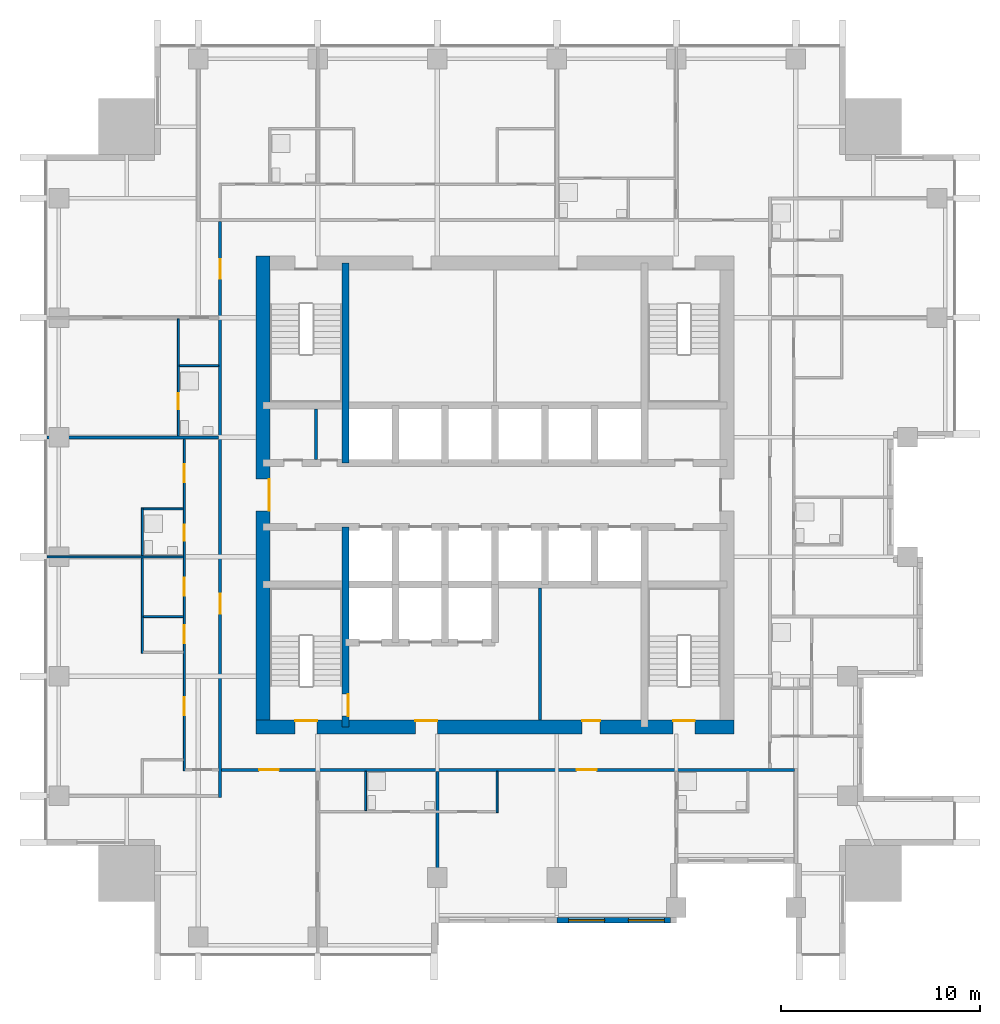
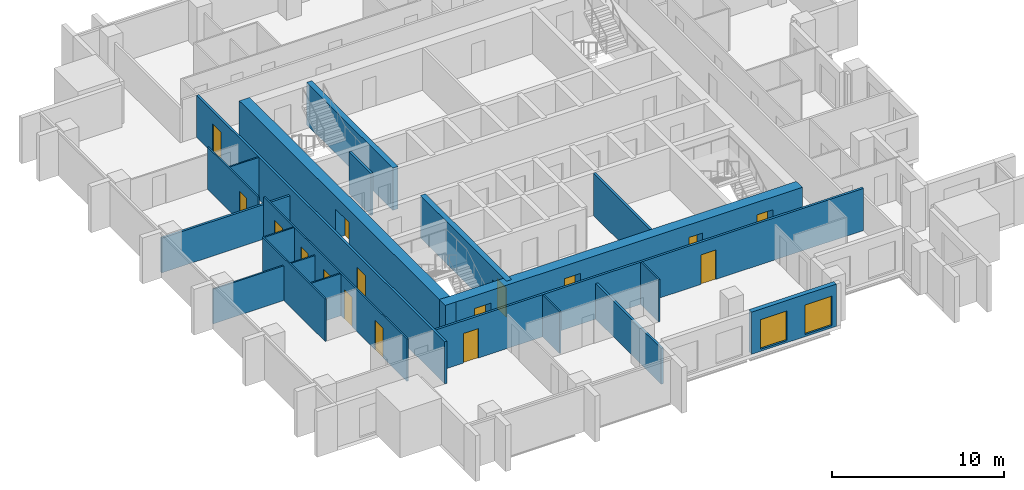
# One storey, part 4 of 10: 20 walls, 16 doors, 2 windows, 18 openings.
"""IFC4 building model written with IfcOpenShell, lengths in metres."""

from ifc_helpers import new_model, si_unit, direction, frame, frame_2d, origin, place, context, subcontext, project, spatial, rectangle, extrude, material, layer, layer_set, type_object, element, fill, save


model = new_model("IFC4")

# Units and contexts
model_context = context("Model", 3, precision=1e-05, world=origin(), true_north=direction((0.0, 1.0)))
body_context = subcontext(model_context, "Body", "Model", "MODEL_VIEW")
ifc_project = project(units=[si_unit("LENGTHUNIT", "METRE"), si_unit("AREAUNIT", "SQUARE_METRE"), si_unit("VOLUMEUNIT", "CUBIC_METRE"), si_unit("PLANEANGLEUNIT", "RADIAN"), si_unit("MASSUNIT", "GRAM", prefix="KILO")], contexts=[model_context])

# Site, building, storey
site_placement = place(None, origin())
site = spatial("IfcSite", under=ifc_project, at=site_placement, CompositionType="ELEMENT")
building_placement = place(site_placement, origin())
building = spatial("IfcBuilding", under=site, at=building_placement, Name="Amberfall Residences", CompositionType="ELEMENT")
storey_placement = place(building_placement, frame((0.0, 0.0, 147.10009765625)))
storey = spatial("IfcBuildingStorey", under=building, at=storey_placement, Name="L39", CompositionType="ELEMENT", Elevation=147.10009765625)

# Wall, openings, windows
ifc_material_1 = material(Name="Pale stone cladding on insulated backing", Category="masonry")
ifc_layer_1 = layer(ifc_material_1, 0.300048828125)
ifc_layer_set_1 = layer_set([ifc_layer_1], Name="Bronze clad wall 300")
wall_type_1 = type_object("IfcWallType", Name="Bronze clad wall 300", PredefinedType="SOLIDWALL", material=ifc_layer_set_1)
wall_1_placement = place(storey_placement, frame((77.60009765625, 24.14990234375, 0.0), z_axis=(0.0, 0.0, 1.0), x_axis=(1.0, 0.0, 0.0)))
wall_1 = element("IfcWall", 1, at=wall_1_placement, inside=storey, type_object=wall_type_1, Name="Stone wall L39 S", PredefinedType="SOLIDWALL", context=body_context, shape_type="SweptSolid", body=[
    extrude(rectangle(XDim=5.699951171875, YDim=0.300048828125, at=frame_2d((2.85009765625, 0.0))), origin(), (0.0, 0.0, 1.0), 3.0),
])
opening_1_placement = place(wall_1_placement, frame((0.60009765625, 0.0, 0.14990234375)))
opening_1 = element("IfcOpeningElement", 2, at=opening_1_placement, cuts=wall_1, Name="Opening WN6", PredefinedType="OPENING", context=body_context, shape_type="SweptSolid", body=[
    extrude(rectangle(XDim=1.800048828125, YDim=2.10009765625, at=frame_2d((0.89990234375, 1.050048828125))), frame((0.0, 0.159912109375, 0.0), z_axis=(0.0, -1.0, 0.0), x_axis=(1.0, 0.0, 0.0)), (0.0, 0.0, 1.0), 0.320068359375),
])
opening_2_placement = place(wall_1_placement, frame((3.60009765625, 0.0, 0.14990234375)))
opening_2 = element("IfcOpeningElement", 3, at=opening_2_placement, cuts=wall_1, Name="Opening WN6", PredefinedType="OPENING", context=body_context, shape_type="SweptSolid", body=[
    extrude(rectangle(XDim=1.800048828125, YDim=2.10009765625, at=frame_2d((0.89990234375, 1.050048828125))), frame((0.0, 0.159912109375, 0.0), z_axis=(0.0, -1.0, 0.0), x_axis=(1.0, 0.0, 0.0)), (0.0, 0.0, 1.0), 0.320068359375),
])
ifc_material_2 = material(Name="Bronze aluminium framed glazing", Category="aluminium")
window_type = type_object("IfcWindowType", Name="Glazed opening 1800 x 2100 bronze", PartitioningType="DOUBLE_PANEL_VERTICAL", PredefinedType="WINDOW", material=ifc_material_2)
window_1_placement = place(opening_1_placement, origin())
window_1 = element("IfcWindow", 4, at=window_1_placement, inside=storey, type_object=window_type, Name="Window L39 S", OverallHeight=2.10009765625, OverallWidth=1.800048828125, PartitioningType="DOUBLE_PANEL_VERTICAL", PredefinedType="WINDOW", context=body_context, shape_type="SweptSolid", body=[
    extrude(rectangle(XDim=1.800048828125, YDim=2.10009765625, at=frame_2d((0.89990234375, 1.050048828125))), frame((0.0, 0.030029296875, 0.0), z_axis=(0.0, -1.0, 0.0), x_axis=(1.0, 0.0, 0.0)), (0.0, 0.0, 1.0), 0.06005859375),
])
fill(opening_1, window_1)
window_2_placement = place(opening_2_placement, origin())
window_2 = element("IfcWindow", 5, at=window_2_placement, inside=storey, type_object=window_type, Name="Window L39 S", OverallHeight=2.10009765625, OverallWidth=1.800048828125, PartitioningType="DOUBLE_PANEL_VERTICAL", PredefinedType="WINDOW", context=body_context, shape_type="SweptSolid", body=[
    extrude(rectangle(XDim=1.800048828125, YDim=2.10009765625, at=frame_2d((0.89990234375, 1.050048828125))), frame((0.0, 0.030029296875, 0.0), z_axis=(0.0, -1.0, 0.0), x_axis=(1.0, 0.0, 0.0)), (0.0, 0.0, 1.0), 0.06005859375),
])
fill(opening_2, window_2)

# Wall, opening, door
ifc_material_3 = material(Name="Concrete C60", Category="concrete")
ifc_layer_2 = layer(ifc_material_3, 0.35009765625)
ifc_layer_set_2 = layer_set([ifc_layer_2], Name="Core wall 350 C60")
wall_type_2 = type_object("IfcWallType", Name="Core wall 350 C60", PredefinedType="SHEAR", material=ifc_layer_set_2)
wall_2_placement = place(storey_placement, frame((67.0, 33.85009765625, 0.0), z_axis=(0.0, 0.0, 1.0), x_axis=(0.0, 1.0, 0.0)))
wall_2 = element("IfcWall", 6, at=wall_2_placement, inside=storey, type_object=wall_type_2, Name="Core wall RW6 L39 V45S", PredefinedType="SHEAR", context=body_context, shape_type="SweptSolid", body=[
    extrude(rectangle(XDim=10.0498046875, YDim=0.35009765625, at=frame_2d((5.02490234375, 0.0))), origin(), (0.0, 0.0, 1.0), 3.0),
])
opening_3_placement = place(wall_2_placement, frame((0.550048828125, 0.0, 0.0)))
opening_3 = element("IfcOpeningElement", 7, at=opening_3_placement, cuts=wall_2, Name="Opening FL1", PredefinedType="OPENING", context=body_context, shape_type="SweptSolid", body=[
    extrude(rectangle(XDim=1.10009765625, YDim=2.10009765625, at=frame_2d((0.550048828125, 1.050048828125))), frame((0.0, 0.18505859375, 0.0), z_axis=(0.0, -1.0, 0.0), x_axis=(1.0, 0.0, 0.0)), (0.0, 0.0, 1.0), 0.3701171875),
])
ifc_material_4 = material(Name="Steel fire door set", Category="steel")
door_type_1 = type_object("IfcDoorType", Name="Firefighting lobby door 1100 x 2100", OperationType="SINGLE_SWING_LEFT", PredefinedType="DOOR", material=ifc_material_4)
door_1_placement = place(opening_3_placement, origin())
door_1 = element("IfcDoor", 8, at=door_1_placement, inside=storey, type_object=door_type_1, Name="FL1 L39", OperationType="SINGLE_SWING_RIGHT", OverallHeight=2.10009765625, OverallWidth=1.10009765625, PredefinedType="DOOR", context=body_context, shape_type="SweptSolid", body=[
    extrude(rectangle(XDim=1.10009765625, YDim=2.10009765625, at=frame_2d((0.550048828125, 1.050048828125))), frame((0.0, -0.1123046875, 0.0), z_axis=(0.0, -1.0, 0.0), x_axis=(1.0, 0.0, 0.0)), (0.0, 0.0, 1.0), 0.050048828125),
])
fill(opening_3, door_1)

# Wall
wall_3_placement = place(storey_placement, frame((67.0, 47.10009765625, 0.0), z_axis=(0.0, 0.0, 1.0), x_axis=(0.0, 1.0, 0.0)))
element("IfcWall", 9, at=wall_3_placement, inside=storey, type_object=wall_type_2, Name="Core wall RW6 L39 V45N", PredefinedType="SHEAR", context=body_context, shape_type="SweptSolid", body=[
    extrude(rectangle(XDim=10.0498046875, YDim=0.35009765625, at=frame_2d((5.02490234375, 0.0))), origin(), (0.0, 0.0, 1.0), 3.0),
])

# Wall, openings, doors
ifc_layer_3 = layer(ifc_material_3, 0.699951171875)
ifc_layer_set_3 = layer_set([ifc_layer_3], Name="Core wall 700 C60")
wall_type_3 = type_object("IfcWallType", Name="Core wall 700 C60", PredefinedType="SHEAR", material=ifc_layer_set_3)
wall_4_placement = place(storey_placement, frame((62.5, 33.85009765625, 0.0), z_axis=(0.0, 0.0, 1.0), x_axis=(1.0, 0.0, 0.0)))
wall_4 = element("IfcWall", 10, at=wall_4_placement, inside=storey, type_object=wall_type_3, Name="Core wall RW5 L39 OS", PredefinedType="SHEAR", context=body_context, shape_type="SweptSolid", body=[
    extrude(rectangle(XDim=24.0, YDim=0.699951171875, at=frame_2d((12.0, 0.0))), origin(), (0.0, 0.0, 1.0), 3.0),
])
opening_4_placement = place(wall_4_placement, frame((1.96240234375, 0.0, 0.0)))
opening_4 = element("IfcOpeningElement", 11, at=opening_4_placement, cuts=wall_4, Name="Opening SD1", PredefinedType="OPENING", context=body_context, shape_type="SweptSolid", body=[
    extrude(rectangle(XDim=1.10009765625, YDim=2.10009765625, at=frame_2d((0.550048828125, 1.050048828125))), frame((0.0, 0.35986328125, 0.0), z_axis=(0.0, -1.0, 0.0), x_axis=(1.0, 0.0, 0.0)), (0.0, 0.0, 1.0), 0.719970703125),
])
opening_5_placement = place(wall_4_placement, frame((20.9375, 0.0, 0.0)))
opening_5 = element("IfcOpeningElement", 12, at=opening_5_placement, cuts=wall_4, Name="Opening SD1", PredefinedType="OPENING", context=body_context, shape_type="SweptSolid", body=[
    extrude(rectangle(XDim=1.10009765625, YDim=2.10009765625, at=frame_2d((0.550048828125, 1.050048828125))), frame((0.0, 0.35986328125, 0.0), z_axis=(0.0, -1.0, 0.0), x_axis=(1.0, 0.0, 0.0)), (0.0, 0.0, 1.0), 0.719970703125),
])
opening_6_placement = place(wall_4_placement, frame((8.0, 0.0, 0.0)))
opening_6 = element("IfcOpeningElement", 13, at=opening_6_placement, cuts=wall_4, Name="Opening FL1", PredefinedType="OPENING", context=body_context, shape_type="SweptSolid", body=[
    extrude(rectangle(XDim=1.10009765625, YDim=2.10009765625, at=frame_2d((0.550048828125, 1.050048828125))), frame((0.0, 0.35986328125, 0.0), z_axis=(0.0, -1.0, 0.0), x_axis=(1.0, 0.0, 0.0)), (0.0, 0.0, 1.0), 0.719970703125),
])
opening_7_placement = place(wall_4_placement, frame((16.375, 0.0, 0.0)))
opening_7 = element("IfcOpeningElement", 14, at=opening_7_placement, cuts=wall_4, Name="Opening RD1", PredefinedType="OPENING", context=body_context, shape_type="SweptSolid", body=[
    extrude(rectangle(XDim=0.89990234375, YDim=2.10009765625, at=frame_2d((0.449951171875, 1.050048828125))), frame((0.0, 0.35986328125, 0.0), z_axis=(0.0, -1.0, 0.0), x_axis=(1.0, 0.0, 0.0)), (0.0, 0.0, 1.0), 0.719970703125),
])
door_2_placement = place(opening_6_placement, origin())
door_2 = element("IfcDoor", 15, at=door_2_placement, inside=storey, type_object=door_type_1, Name="FL1 L39", OperationType="SINGLE_SWING_LEFT", OverallHeight=2.10009765625, OverallWidth=1.10009765625, PredefinedType="DOOR", context=body_context, shape_type="SweptSolid", body=[
    extrude(rectangle(XDim=1.10009765625, YDim=2.10009765625, at=frame_2d((0.550048828125, 1.050048828125))), frame((0.0, 0.33740234375, 0.0), z_axis=(0.0, -1.0, 0.0), x_axis=(1.0, 0.0, 0.0)), (0.0, 0.0, 1.0), 0.050048828125),
])
fill(opening_6, door_2)
door_type_2 = type_object("IfcDoorType", Name="Service room door 900 x 2100", OperationType="SINGLE_SWING_LEFT", PredefinedType="DOOR", material=ifc_material_4)
door_3_placement = place(opening_7_placement, origin())
door_3 = element("IfcDoor", 16, at=door_3_placement, inside=storey, type_object=door_type_2, Name="RD1 L39", OperationType="SINGLE_SWING_LEFT", OverallHeight=2.10009765625, OverallWidth=0.89990234375, PredefinedType="DOOR", context=body_context, shape_type="SweptSolid", body=[
    extrude(rectangle(XDim=0.89990234375, YDim=2.10009765625, at=frame_2d((0.449951171875, 1.050048828125))), frame((0.0, 0.33740234375, 0.0), z_axis=(0.0, -1.0, 0.0), x_axis=(1.0, 0.0, 0.0)), (0.0, 0.0, 1.0), 0.050048828125),
])
fill(opening_7, door_3)
door_type_3 = type_object("IfcDoorType", Name="Stair door 1100 x 2100", OperationType="SINGLE_SWING_LEFT", PredefinedType="DOOR", material=ifc_material_4)
door_4_placement = place(opening_4_placement, origin())
door_4 = element("IfcDoor", 17, at=door_4_placement, inside=storey, type_object=door_type_3, Name="SD1 L39", OperationType="SINGLE_SWING_LEFT", OverallHeight=2.10009765625, OverallWidth=1.10009765625, PredefinedType="DOOR", context=body_context, shape_type="SweptSolid", body=[
    extrude(rectangle(XDim=1.10009765625, YDim=2.10009765625, at=frame_2d((0.550048828125, 1.050048828125))), frame((0.0, 0.33740234375, 0.0), z_axis=(0.0, -1.0, 0.0), x_axis=(1.0, 0.0, 0.0)), (0.0, 0.0, 1.0), 0.050048828125),
])
fill(opening_4, door_4)
door_5_placement = place(opening_5_placement, origin())
door_5 = element("IfcDoor", 18, at=door_5_placement, inside=storey, type_object=door_type_3, Name="SD1 L39", OperationType="SINGLE_SWING_RIGHT", OverallHeight=2.10009765625, OverallWidth=1.10009765625, PredefinedType="DOOR", context=body_context, shape_type="SweptSolid", body=[
    extrude(rectangle(XDim=1.10009765625, YDim=2.10009765625, at=frame_2d((0.550048828125, 1.050048828125))), frame((0.0, 0.33740234375, 0.0), z_axis=(0.0, -1.0, 0.0), x_axis=(1.0, 0.0, 0.0)), (0.0, 0.0, 1.0), 0.050048828125),
])
fill(opening_5, door_5)

# Wall, opening, door
wall_5_placement = place(storey_placement, frame((62.85009765625, 33.5, 0.0), z_axis=(0.0, 0.0, 1.0), x_axis=(0.0, 1.0, 0.0)))
wall_5 = element("IfcWall", 19, at=wall_5_placement, inside=storey, type_object=wall_type_3, Name="Core wall RW5 L39 OW", PredefinedType="SHEAR", context=body_context, shape_type="SweptSolid", body=[
    extrude(rectangle(XDim=24.0, YDim=0.699951171875, at=frame_2d((12.0, 0.0))), origin(), (0.0, 0.0, 1.0), 3.0),
])
opening_8_placement = place(wall_5_placement, frame((11.199951171875, 0.0, 0.0)))
opening_8 = element("IfcOpeningElement", 20, at=opening_8_placement, cuts=wall_5, Name="Opening LB1", PredefinedType="OPENING", context=body_context, shape_type="SweptSolid", body=[
    extrude(rectangle(XDim=1.60009765625, YDim=2.10009765625, at=frame_2d((0.800048828125, 1.050048828125))), frame((0.0, 0.35986328125, 0.0), z_axis=(0.0, -1.0, 0.0), x_axis=(1.0, 0.0, 0.0)), (0.0, 0.0, 1.0), 0.719970703125),
])
door_type_4 = type_object("IfcDoorType", Name="Lift lobby double door 1600 x 2100", OperationType="DOUBLE_DOOR_SINGLE_SWING", PredefinedType="DOOR", material=ifc_material_4)
door_6_placement = place(opening_8_placement, origin())
door_6 = element("IfcDoor", 21, at=door_6_placement, inside=storey, type_object=door_type_4, Name="LB1 L39", OperationType="DOUBLE_DOOR_SINGLE_SWING", OverallHeight=2.10009765625, OverallWidth=1.60009765625, PredefinedType="DOOR", context=body_context, shape_type="SweptSolid", body=[
    extrude(rectangle(XDim=1.60009765625, YDim=2.10009765625, at=frame_2d((0.800048828125, 1.050048828125))), frame((0.0, -0.28759765625, 0.0), z_axis=(0.0, -1.0, 0.0), x_axis=(1.0, 0.0, 0.0)), (0.0, 0.0, 1.0), 0.050048828125),
])
fill(opening_8, door_6)

# Wall
ifc_material_5 = material(Name="Gypsum board on metal stud")
ifc_layer_4 = layer(ifc_material_5, 0.10009765625)
ifc_layer_set_4 = layer_set([ifc_layer_4], Name="Flat partition 100")
wall_type_4 = type_object("IfcWallType", Name="Flat partition 100", PredefinedType="PARTITIONING", material=ifc_layer_set_4)
wall_6_placement = place(storey_placement, frame((56.800048828125, 37.550048828125, 0.0), z_axis=(0.0, 0.0, 1.0), x_axis=(0.0, 1.0, 0.0)))
element("IfcWall", 22, at=wall_6_placement, inside=storey, type_object=wall_type_4, Name="Partition 002", PredefinedType="PARTITIONING", context=body_context, shape_type="SweptSolid", body=[
    extrude(rectangle(XDim=7.300048828125, YDim=0.10009765625, at=frame_2d((3.64990234375, 0.0))), origin(), (0.0, 0.0, 1.0), 3.0),
])

# Wall, opening, door
wall_7_placement = place(storey_placement, frame((58.60009765625, 54.35009765625, 0.0), z_axis=(0.0, 0.0, 1.0), x_axis=(0.0, -1.0, 0.0)))
wall_7 = element("IfcWall", 23, at=wall_7_placement, inside=storey, type_object=wall_type_4, Name="Partition 003", PredefinedType="PARTITIONING", context=body_context, shape_type="SweptSolid", body=[
    extrude(rectangle(XDim=5.875, YDim=0.10009765625, at=frame_2d((2.9375, 0.0))), origin(), (0.0, 0.0, 1.0), 3.0),
])
opening_9_placement = place(wall_7_placement, frame((3.75, 0.0, 0.0)))
opening_9 = element("IfcOpeningElement", 24, at=opening_9_placement, cuts=wall_7, Name="Opening D42", PredefinedType="OPENING", context=body_context, shape_type="SweptSolid", body=[
    extrude(rectangle(XDim=0.800048828125, YDim=2.10009765625, at=frame_2d((0.39990234375, 1.050048828125))), frame((0.0, 0.06005859375, 0.0), z_axis=(0.0, -1.0, 0.0), x_axis=(1.0, 0.0, 0.0)), (0.0, 0.0, 1.0), 0.1201171875),
])
ifc_material_6 = material(Name="Timber", Category="wood")
door_type_5 = type_object("IfcDoorType", Name="Bathroom door 800 x 2100", OperationType="SINGLE_SWING_LEFT", PredefinedType="DOOR", material=ifc_material_6)
door_7_placement = place(opening_9_placement, origin())
door_7 = element("IfcDoor", 25, at=door_7_placement, inside=storey, type_object=door_type_5, Name="Door 3909 bath1", OperationType="SINGLE_SWING_LEFT", OverallHeight=2.10009765625, OverallWidth=0.800048828125, PredefinedType="DOOR", context=body_context, shape_type="SweptSolid", body=[
    extrude(rectangle(XDim=0.800048828125, YDim=2.10009765625, at=frame_2d((0.39990234375, 1.050048828125))), frame((0.0, 0.02490234375, 0.0), z_axis=(0.0, -1.0, 0.0), x_axis=(1.0, 0.0, 0.0)), (0.0, 0.0, 1.0), 0.050048828125),
])
fill(opening_9, door_7)

# Wall, openings, doors
wall_8_placement = place(storey_placement, frame((58.89990234375, 31.64990234375, 0.0), z_axis=(0.0, 0.0, 1.0), x_axis=(0.0, 1.0, 0.0)))
wall_8 = element("IfcWall", 26, at=wall_8_placement, inside=storey, type_object=wall_type_4, Name="Partition 004", PredefinedType="PARTITIONING", context=body_context, shape_type="SweptSolid", body=[
    extrude(rectangle(XDim=16.675048828125, YDim=0.10009765625, at=frame_2d((8.33740234375, 0.0))), origin(), (0.0, 0.0, 1.0), 3.0),
])
opening_10_placement = place(wall_8_placement, frame((2.800048828125, 0.0, 0.0)))
opening_10 = element("IfcOpeningElement", 27, at=opening_10_placement, cuts=wall_8, Name="Opening D41", PredefinedType="OPENING", context=body_context, shape_type="SweptSolid", body=[
    extrude(rectangle(XDim=0.89990234375, YDim=2.10009765625, at=frame_2d((0.449951171875, 1.050048828125))), frame((0.0, 0.06005859375, 0.0), z_axis=(0.0, -1.0, 0.0), x_axis=(1.0, 0.0, 0.0)), (0.0, 0.0, 1.0), 0.1201171875),
])
opening_11_placement = place(wall_8_placement, frame((8.800048828125, 0.0, 0.0)))
opening_11 = element("IfcOpeningElement", 28, at=opening_11_placement, cuts=wall_8, Name="Opening D41", PredefinedType="OPENING", context=body_context, shape_type="SweptSolid", body=[
    extrude(rectangle(XDim=0.89990234375, YDim=2.10009765625, at=frame_2d((0.449951171875, 1.050048828125))), frame((0.0, 0.06005859375, 0.0), z_axis=(0.0, -1.0, 0.0), x_axis=(1.0, 0.0, 0.0)), (0.0, 0.0, 1.0), 0.1201171875),
])
opening_12_placement = place(wall_8_placement, frame((6.39990234375, 0.0, 0.0)))
opening_12 = element("IfcOpeningElement", 29, at=opening_12_placement, cuts=wall_8, Name="Opening D41", PredefinedType="OPENING", context=body_context, shape_type="SweptSolid", body=[
    extrude(rectangle(XDim=0.89990234375, YDim=2.10009765625, at=frame_2d((0.449951171875, 1.050048828125))), frame((0.0, 0.06005859375, 0.0), z_axis=(0.0, -1.0, 0.0), x_axis=(1.0, 0.0, 0.0)), (0.0, 0.0, 1.0), 0.1201171875),
])
opening_13_placement = place(wall_8_placement, frame((14.5, 0.0, 0.0)))
opening_13 = element("IfcOpeningElement", 30, at=opening_13_placement, cuts=wall_8, Name="Opening D41", PredefinedType="OPENING", context=body_context, shape_type="SweptSolid", body=[
    extrude(rectangle(XDim=0.89990234375, YDim=2.10009765625, at=frame_2d((0.449951171875, 1.050048828125))), frame((0.0, 0.06005859375, 0.0), z_axis=(0.0, -1.0, 0.0), x_axis=(1.0, 0.0, 0.0)), (0.0, 0.0, 1.0), 0.1201171875),
])
opening_14_placement = place(wall_8_placement, frame((11.550048828125, 0.0, 0.0)))
opening_14 = element("IfcOpeningElement", 31, at=opening_14_placement, cuts=wall_8, Name="Opening D42", PredefinedType="OPENING", context=body_context, shape_type="SweptSolid", body=[
    extrude(rectangle(XDim=0.800048828125, YDim=2.10009765625, at=frame_2d((0.39990234375, 1.050048828125))), frame((0.0, 0.06005859375, 0.0), z_axis=(0.0, -1.0, 0.0), x_axis=(1.0, 0.0, 0.0)), (0.0, 0.0, 1.0), 0.1201171875),
])
door_8_placement = place(opening_14_placement, origin())
door_8 = element("IfcDoor", 32, at=door_8_placement, inside=storey, type_object=door_type_5, Name="Door 3908 bath1", OperationType="SINGLE_SWING_LEFT", OverallHeight=2.10009765625, OverallWidth=0.800048828125, PredefinedType="DOOR", context=body_context, shape_type="SweptSolid", body=[
    extrude(rectangle(XDim=0.800048828125, YDim=2.10009765625, at=frame_2d((0.39990234375, 1.050048828125))), frame((0.0, 0.02490234375, 0.0), z_axis=(0.0, -1.0, 0.0), x_axis=(1.0, 0.0, 0.0)), (0.0, 0.0, 1.0), 0.050048828125),
])
fill(opening_14, door_8)
door_type_6 = type_object("IfcDoorType", Name="Internal door 900 x 2100", OperationType="SINGLE_SWING_LEFT", PredefinedType="DOOR", material=ifc_material_6)
door_9_placement = place(opening_10_placement, origin())
door_9 = element("IfcDoor", 33, at=door_9_placement, inside=storey, type_object=door_type_6, Name="Door 3908 living", OperationType="SINGLE_SWING_LEFT", OverallHeight=2.10009765625, OverallWidth=0.89990234375, PredefinedType="DOOR", context=body_context, shape_type="SweptSolid", body=[
    extrude(rectangle(XDim=0.89990234375, YDim=2.10009765625, at=frame_2d((0.449951171875, 1.050048828125))), frame((0.0, 0.02490234375, 0.0), z_axis=(0.0, -1.0, 0.0), x_axis=(1.0, 0.0, 0.0)), (0.0, 0.0, 1.0), 0.050048828125),
])
fill(opening_10, door_9)
door_10_placement = place(opening_11_placement, origin())
door_10 = element("IfcDoor", 34, at=door_10_placement, inside=storey, type_object=door_type_6, Name="Door 3908 kitchen", OperationType="SINGLE_SWING_LEFT", OverallHeight=2.10009765625, OverallWidth=0.89990234375, PredefinedType="DOOR", context=body_context, shape_type="SweptSolid", body=[
    extrude(rectangle(XDim=0.89990234375, YDim=2.10009765625, at=frame_2d((0.449951171875, 1.050048828125))), frame((0.0, 0.02490234375, 0.0), z_axis=(0.0, -1.0, 0.0), x_axis=(1.0, 0.0, 0.0)), (0.0, 0.0, 1.0), 0.050048828125),
])
fill(opening_11, door_10)
door_11_placement = place(opening_12_placement, origin())
door_11 = element("IfcDoor", 35, at=door_11_placement, inside=storey, type_object=door_type_6, Name="Door 3908 utility", OperationType="SINGLE_SWING_LEFT", OverallHeight=2.10009765625, OverallWidth=0.89990234375, PredefinedType="DOOR", context=body_context, shape_type="SweptSolid", body=[
    extrude(rectangle(XDim=0.89990234375, YDim=2.10009765625, at=frame_2d((0.449951171875, 1.050048828125))), frame((0.0, 0.02490234375, 0.0), z_axis=(0.0, -1.0, 0.0), x_axis=(1.0, 0.0, 0.0)), (0.0, 0.0, 1.0), 0.050048828125),
])
fill(opening_12, door_11)
door_12_placement = place(opening_13_placement, origin())
door_12 = element("IfcDoor", 36, at=door_12_placement, inside=storey, type_object=door_type_6, Name="Door 3908 bedroom1", OperationType="SINGLE_SWING_LEFT", OverallHeight=2.10009765625, OverallWidth=0.89990234375, PredefinedType="DOOR", context=body_context, shape_type="SweptSolid", body=[
    extrude(rectangle(XDim=0.89990234375, YDim=2.10009765625, at=frame_2d((0.449951171875, 1.050048828125))), frame((0.0, 0.02490234375, 0.0), z_axis=(0.0, -1.0, 0.0), x_axis=(1.0, 0.0, 0.0)), (0.0, 0.0, 1.0), 0.050048828125),
])
fill(opening_13, door_12)

# Walls
wall_9_placement = place(storey_placement, frame((68.0, 29.64990234375, 0.0), z_axis=(0.0, 0.0, 1.0), x_axis=(0.0, 1.0, 0.0)))
element("IfcWall", 37, at=wall_9_placement, inside=storey, type_object=wall_type_4, Name="Partition 010", PredefinedType="PARTITIONING", context=body_context, shape_type="SweptSolid", body=[
    extrude(rectangle(XDim=1.97509765625, YDim=0.10009765625, at=frame_2d((0.987548828125, 0.0))), origin(), (0.0, 0.0, 1.0), 3.0),
])
wall_10_placement = place(storey_placement, frame((74.60009765625, 29.550048828125, 0.0), z_axis=(0.0, 0.0, 1.0), x_axis=(0.0, 1.0, 0.0)))
element("IfcWall", 38, at=wall_10_placement, inside=storey, type_object=wall_type_4, Name="Partition 011", PredefinedType="PARTITIONING", context=body_context, shape_type="SweptSolid", body=[
    extrude(rectangle(XDim=2.074951171875, YDim=0.10009765625, at=frame_2d((1.03759765625, 0.0))), origin(), (0.0, 0.0, 1.0), 3.0),
])
wall_11_placement = place(storey_placement, frame((58.64990234375, 52.0, 0.0), z_axis=(0.0, 0.0, 1.0), x_axis=(1.0, 0.0, 0.0)))
element("IfcWall", 39, at=wall_11_placement, inside=storey, type_object=wall_type_4, Name="Partition 029", PredefinedType="PARTITIONING", context=body_context, shape_type="SweptSolid", body=[
    extrude(rectangle(XDim=1.97509765625, YDim=0.10009765625, at=frame_2d((0.987548828125, 0.0))), origin(), (0.0, 0.0, 1.0), 3.0),
])
wall_12_placement = place(storey_placement, frame((56.85009765625, 44.800048828125, 0.0), z_axis=(0.0, 0.0, 1.0), x_axis=(1.0, 0.0, 0.0)))
element("IfcWall", 40, at=wall_12_placement, inside=storey, type_object=wall_type_4, Name="Partition 032", PredefinedType="PARTITIONING", context=body_context, shape_type="SweptSolid", body=[
    extrude(rectangle(XDim=2.0, YDim=0.10009765625, at=frame_2d((1.0, 0.0))), origin(), (0.0, 0.0, 1.0), 3.0),
])
wall_13_placement = place(storey_placement, frame((52.0, 42.39990234375, 0.0), z_axis=(0.0, 0.0, 1.0), x_axis=(1.0, 0.0, 0.0)))
element("IfcWall", 41, at=wall_13_placement, inside=storey, type_object=wall_type_4, Name="Partition 034", PredefinedType="PARTITIONING", context=body_context, shape_type="SweptSolid", body=[
    extrude(rectangle(XDim=6.85009765625, YDim=0.10009765625, at=frame_2d((3.425048828125, 0.0))), origin(), (0.0, 0.0, 1.0), 2.4658203125),
])
wall_14_placement = place(storey_placement, frame((56.85009765625, 39.39990234375, 0.0), z_axis=(0.0, 0.0, 1.0), x_axis=(1.0, 0.0, 0.0)))
element("IfcWall", 42, at=wall_14_placement, inside=storey, type_object=wall_type_4, Name="Partition 035", PredefinedType="PARTITIONING", context=body_context, shape_type="SweptSolid", body=[
    extrude(rectangle(XDim=2.0, YDim=0.10009765625, at=frame_2d((1.0, 0.0))), origin(), (0.0, 0.0, 1.0), 3.0),
])

# Wall, openings, doors
ifc_material_7 = material(Name="Blockwork, plastered", Category="masonry")
ifc_layer_5 = layer(ifc_material_7, 0.14990234375)
ifc_layer_set_5 = layer_set([ifc_layer_5], Name="Flat separating wall 150")
wall_type_5 = type_object("IfcWallType", Name="Flat separating wall 150", PredefinedType="PARTITIONING", material=ifc_layer_set_5)
wall_15_placement = place(storey_placement, frame((60.699951171875, 30.324951171875, 0.0), z_axis=(0.0, 0.0, 1.0), x_axis=(0.0, 1.0, 0.0)))
wall_15 = element("IfcWall", 43, at=wall_15_placement, inside=storey, type_object=wall_type_5, Name="Separating wall 044", PredefinedType="PARTITIONING", context=body_context, shape_type="SweptSolid", body=[
    extrude(rectangle(XDim=28.900146484375, YDim=0.14990234375, at=frame_2d((14.4501953125, 0.0))), origin(), (0.0, 0.0, 1.0), 3.0),
])
opening_15_placement = place(wall_15_placement, frame((9.22509765625, 0.0, 0.0)))
opening_15 = element("IfcOpeningElement", 44, at=opening_15_placement, cuts=wall_15, Name="Opening D40", PredefinedType="OPENING", context=body_context, shape_type="SweptSolid", body=[
    extrude(rectangle(XDim=1.0, YDim=2.10009765625, at=frame_2d((0.5, 1.050048828125))), frame((0.0, 0.0849609375, 0.0), z_axis=(0.0, -1.0, 0.0), x_axis=(1.0, 0.0, 0.0)), (0.0, 0.0, 1.0), 0.169921875),
])
opening_16_placement = place(wall_15_placement, frame((26.02490234375, 0.0, 0.0)))
opening_16 = element("IfcOpeningElement", 45, at=opening_16_placement, cuts=wall_15, Name="Opening D40", PredefinedType="OPENING", context=body_context, shape_type="SweptSolid", body=[
    extrude(rectangle(XDim=1.0, YDim=2.10009765625, at=frame_2d((0.5, 1.050048828125))), frame((0.0, 0.0849609375, 0.0), z_axis=(0.0, -1.0, 0.0), x_axis=(1.0, 0.0, 0.0)), (0.0, 0.0, 1.0), 0.169921875),
])
ifc_material_8 = material(Name="Timber, fire-rated", Category="wood")
door_type_7 = type_object("IfcDoorType", Name="Flat entrance door FD60 1000 x 2100", OperationType="SINGLE_SWING_LEFT", PredefinedType="DOOR", material=ifc_material_8)
door_13_placement = place(opening_15_placement, origin())
door_13 = element("IfcDoor", 46, at=door_13_placement, inside=storey, type_object=door_type_7, Name="Door 3908 entrance", OperationType="SINGLE_SWING_LEFT", OverallHeight=2.10009765625, OverallWidth=1.0, PredefinedType="DOOR", context=body_context, shape_type="SweptSolid", body=[
    extrude(rectangle(XDim=1.0, YDim=2.10009765625, at=frame_2d((0.5, 1.050048828125))), frame((0.0, 0.02490234375, 0.0), z_axis=(0.0, -1.0, 0.0), x_axis=(1.0, 0.0, 0.0)), (0.0, 0.0, 1.0), 0.050048828125),
])
fill(opening_15, door_13)
door_14_placement = place(opening_16_placement, origin())
door_14 = element("IfcDoor", 47, at=door_14_placement, inside=storey, type_object=door_type_7, Name="Door 3909 entrance", OperationType="SINGLE_SWING_LEFT", OverallHeight=2.10009765625, OverallWidth=1.0, PredefinedType="DOOR", context=body_context, shape_type="SweptSolid", body=[
    extrude(rectangle(XDim=1.0, YDim=2.10009765625, at=frame_2d((0.5, 1.050048828125))), frame((0.0, 0.02490234375, 0.0), z_axis=(0.0, -1.0, 0.0), x_axis=(1.0, 0.0, 0.0)), (0.0, 0.0, 1.0), 0.050048828125),
])
fill(opening_16, door_14)

# Walls
wall_16_placement = place(storey_placement, frame((71.60009765625, 24.0, 0.0), z_axis=(0.0, 0.0, 1.0), x_axis=(0.0, 1.0, 0.0)))
element("IfcWall", 48, at=wall_16_placement, inside=storey, type_object=wall_type_5, Name="Separating wall 045", PredefinedType="PARTITIONING", context=body_context, shape_type="SweptSolid", body=[
    extrude(rectangle(XDim=7.625, YDim=0.14990234375, at=frame_2d((3.8125, 0.0))), origin(), (0.0, 0.0, 1.0), 2.539794921875),
])
wall_17_placement = place(storey_placement, frame((52.0, 48.39990234375, 0.0), z_axis=(0.0, 0.0, 1.0), x_axis=(1.0, 0.0, 0.0)))
element("IfcWall", 49, at=wall_17_placement, inside=storey, type_object=wall_type_5, Name="Separating wall 052", PredefinedType="PARTITIONING", context=body_context, shape_type="SweptSolid", body=[
    extrude(rectangle(XDim=8.625, YDim=0.14990234375, at=frame_2d((4.3125, 0.0))), origin(), (0.0, 0.0, 1.0), 2.4658203125),
])

# Wall, openings, doors
wall_18_placement = place(storey_placement, frame((89.52490234375, 31.699951171875, 0.0), z_axis=(0.0, 0.0, 1.0), x_axis=(-1.0, 0.0, 0.0)))
wall_18 = element("IfcWall", 50, at=wall_18_placement, inside=storey, type_object=wall_type_5, Name="Separating wall 054", PredefinedType="PARTITIONING", context=body_context, shape_type="SweptSolid", body=[
    extrude(rectangle(XDim=28.75, YDim=0.14990234375, at=frame_2d((14.375, 0.0))), origin(), (0.0, 0.0, 1.0), 3.0),
])
opening_17_placement = place(wall_18_placement, frame((25.875, 0.0, 0.0)))
opening_17 = element("IfcOpeningElement", 51, at=opening_17_placement, cuts=wall_18, Name="Opening D40", PredefinedType="OPENING", context=body_context, shape_type="SweptSolid", body=[
    extrude(rectangle(XDim=1.0, YDim=2.10009765625, at=frame_2d((0.5, 1.050048828125))), frame((0.0, 0.0849609375, 0.0), z_axis=(0.0, -1.0, 0.0), x_axis=(1.0, 0.0, 0.0)), (0.0, 0.0, 1.0), 0.169921875),
])
opening_18_placement = place(wall_18_placement, frame((9.925048828125, 0.0, 0.0)))
opening_18 = element("IfcOpeningElement", 52, at=opening_18_placement, cuts=wall_18, Name="Opening D40", PredefinedType="OPENING", context=body_context, shape_type="SweptSolid", body=[
    extrude(rectangle(XDim=1.0, YDim=2.10009765625, at=frame_2d((0.5, 1.050048828125))), frame((0.0, 0.0849609375, 0.0), z_axis=(0.0, -1.0, 0.0), x_axis=(1.0, 0.0, 0.0)), (0.0, 0.0, 1.0), 0.169921875),
])
door_15_placement = place(opening_17_placement, origin())
door_15 = element("IfcDoor", 53, at=door_15_placement, inside=storey, type_object=door_type_7, Name="Door 3901 entrance", OperationType="SINGLE_SWING_LEFT", OverallHeight=2.10009765625, OverallWidth=1.0, PredefinedType="DOOR", context=body_context, shape_type="SweptSolid", body=[
    extrude(rectangle(XDim=1.0, YDim=2.10009765625, at=frame_2d((0.5, 1.050048828125))), frame((0.0, 0.02490234375, 0.0), z_axis=(0.0, -1.0, 0.0), x_axis=(1.0, 0.0, 0.0)), (0.0, 0.0, 1.0), 0.050048828125),
])
fill(opening_17, door_15)
door_16_placement = place(opening_18_placement, origin())
door_16 = element("IfcDoor", 54, at=door_16_placement, inside=storey, type_object=door_type_7, Name="Door 3902 entrance", OperationType="SINGLE_SWING_LEFT", OverallHeight=2.10009765625, OverallWidth=1.0, PredefinedType="DOOR", context=body_context, shape_type="SweptSolid", body=[
    extrude(rectangle(XDim=1.0, YDim=2.10009765625, at=frame_2d((0.5, 1.050048828125))), frame((0.0, 0.02490234375, 0.0), z_axis=(0.0, -1.0, 0.0), x_axis=(1.0, 0.0, 0.0)), (0.0, 0.0, 1.0), 0.050048828125),
])
fill(opening_18, door_16)

# Walls
ifc_material_9 = material(Name="Concrete blockwork", Category="masonry")
ifc_layer_6 = layer(ifc_material_9, 0.14990234375)
ifc_layer_set_6 = layer_set([ifc_layer_6], Name="Riser wall 150")
wall_type_6 = type_object("IfcWallType", Name="Riser wall 150", PredefinedType="PLUMBINGWALL", material=ifc_layer_set_6)
wall_19_placement = place(storey_placement, frame((76.75, 34.199951171875, 0.0), z_axis=(0.0, 0.0, 1.0), x_axis=(0.0, 1.0, 0.0)))
element("IfcWall", 55, at=wall_19_placement, inside=storey, type_object=wall_type_6, Name="L39 core wall PX", PredefinedType="PLUMBINGWALL", context=body_context, shape_type="SweptSolid", body=[
    extrude(rectangle(XDim=6.625, YDim=0.14990234375, at=frame_2d((3.3125, 0.0))), origin(), (0.0, 0.0, 1.0), 3.0),
])
wall_20_placement = place(storey_placement, frame((65.52001953125, 47.27490234375, 0.0), z_axis=(0.0, 0.0, 1.0), x_axis=(0.0, 1.0, 0.0)))
element("IfcWall", 56, at=wall_20_placement, inside=storey, type_object=wall_type_6, Name="L39 core wall ANW0", PredefinedType="PLUMBINGWALL", context=body_context, shape_type="SweptSolid", body=[
    extrude(rectangle(XDim=2.550048828125, YDim=0.14990234375, at=frame_2d((1.27490234375, 0.0))), origin(), (0.0, 0.0, 1.0), 3.0),
])

save(model, "model.ifc")
